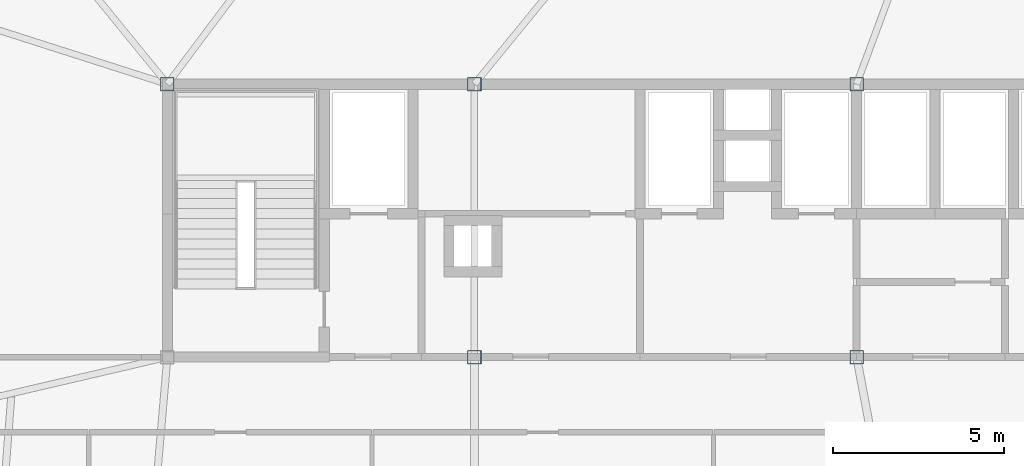
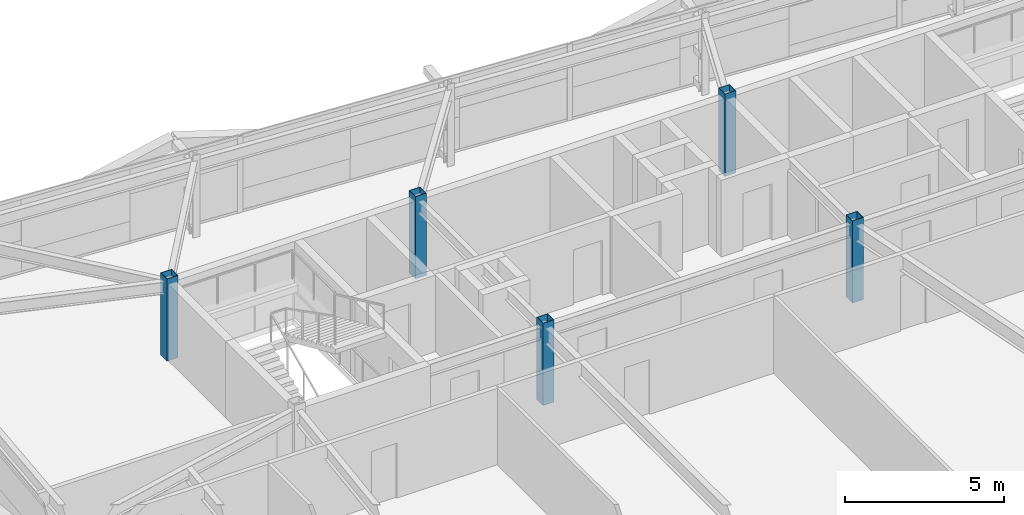
# One storey, part 2 of 39: 5 columns.
"""IFC4 building model written with IfcOpenShell, lengths in metres."""

from ifc_helpers import new_model, si_unit, direction, frame, origin, origin_2d, place, context, subcontext, project, spatial, hollow_rectangle, extrude, source, transform, mapped, material, material_profile, profile_set, type_object, element, save


model = new_model("IFC4")

# Units and contexts
model_context = context("Model", 3, precision=1e-05, world=origin(), true_north=direction((0.0, 1.0)))
body_context = subcontext(model_context, "Body", "Model", "MODEL_VIEW")
ifc_project = project(units=[si_unit("LENGTHUNIT", "METRE"), si_unit("AREAUNIT", "SQUARE_METRE"), si_unit("VOLUMEUNIT", "CUBIC_METRE"), si_unit("PLANEANGLEUNIT", "RADIAN"), si_unit("MASSUNIT", "GRAM", prefix="KILO")], contexts=[model_context])

# Site, building, storey
site_placement = place(None, origin())
site = spatial("IfcSite", under=ifc_project, at=site_placement, CompositionType="ELEMENT")
building_placement = place(site_placement, origin())
building = spatial("IfcBuilding", under=site, at=building_placement, Name="Taldren Reach Tower", CompositionType="ELEMENT")
storey_placement = place(building_placement, frame((0.0, 0.0, 145.60009765625)))
storey = spatial("IfcBuildingStorey", under=building, at=storey_placement, Name="L44", CompositionType="ELEMENT", Elevation=145.60009765625)

# Columns
ifc_material = material(Name="Steel Gr 450 (C450L0)", Category="steel")
ifc_material_profile = material_profile(ifc_material, hollow_rectangle(XDim=0.39990234375, YDim=0.39990234375, WallThickness=0.01611328125, at=origin_2d()), Name="400x400x16.0SHS")
ifc_profile_set = profile_set([ifc_material_profile], Name="Steel Gr 450 (C450L0)")
column_type = type_object("IfcColumnType", Name="COL-SHS400", PredefinedType="COLUMN", material=ifc_profile_set)
shared_shape = source(origin(), body_context, "Body", "SweptSolid", [
    extrude(hollow_rectangle(XDim=0.39990234375, YDim=0.39990234375, WallThickness=0.01611328125, at=origin_2d()), origin(), (0.0, 0.0, 1.0), 3.14990234375),
])
for number, where, z_axis, x_axis, name in (
    (1, (28.0, 24.0, 0.0), (0.0, 0.0, 1.0), (1.0, 0.0, 0.0), "Mega column MC-C2 L44"),
    (2, (39.199951171875, 24.0, 0.0), (0.0, 0.0, 1.0), (1.0, 0.0, 0.0), "Mega column MC-C3 L44"),
    (3, (19.0, 32.0, 0.0), (0.0, 0.0, 1.0), (1.0, 0.0, 0.0), "Mega column MC-C5 L44"),
    (4, (28.0, 32.0, 0.0), (0.0, 0.0, 1.0), (1.0, 0.0, 0.0), "Mega column MC-C6 L44"),
    (5, (39.199951171875, 32.0, 0.0), (0.0, 0.0, 1.0), (1.0, 0.0, 0.0), "Mega column MC-C7 L44"),
):
    element("IfcColumn", number, at=place(storey_placement, frame(where, z_axis=z_axis, x_axis=x_axis)), inside=storey, type_object=column_type, Name=name, PredefinedType="COLUMN", context=body_context, shape_type="MappedRepresentation", body=[
        mapped(shared_shape, transform((0.0, 0.0, 0.0), scale=1.0)),
    ])

save(model, "model.ifc")
